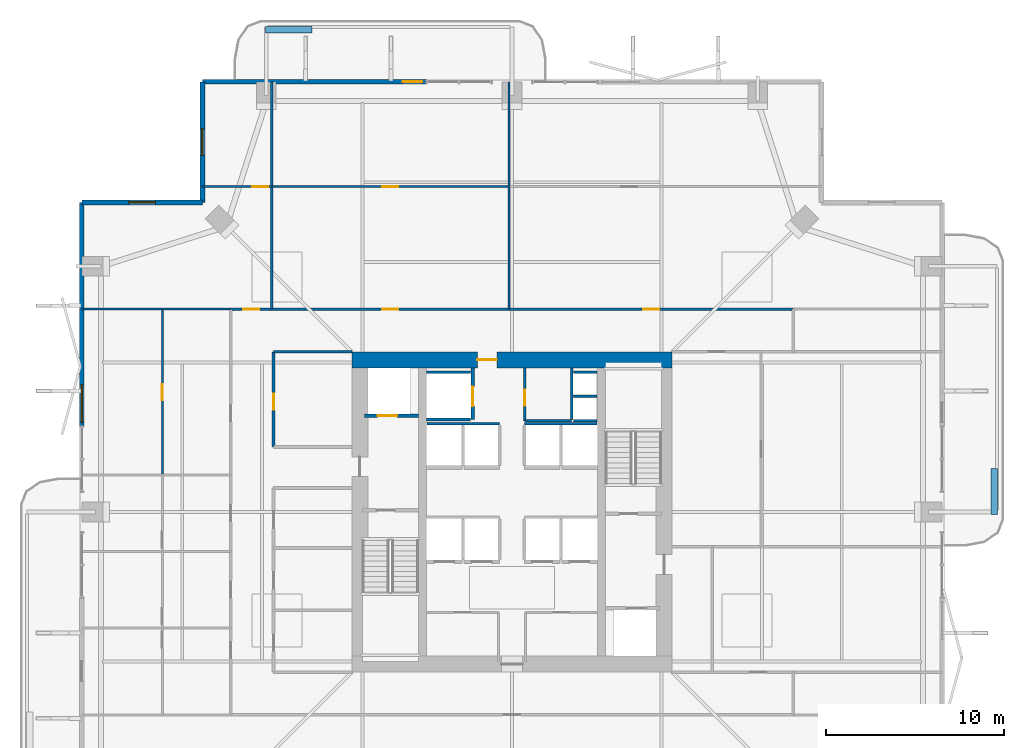
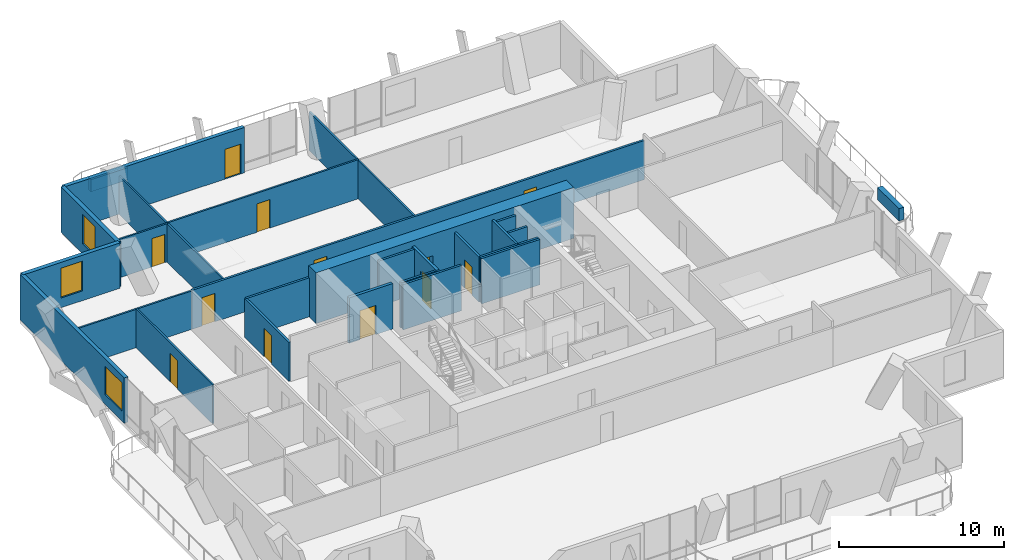
# One storey, part 20 of 24: 28 walls, 12 doors, 3 windows, 15 openings.
"""IFC4 building model written with IfcOpenShell, lengths in metres."""

from ifc_helpers import new_model, si_unit, direction, frame, frame_2d, origin, place, context, subcontext, project, spatial, rectangle, extrude, material, layer, layer_set, type_object, element, fill, save


model = new_model("IFC4")

# Units and contexts
model_context = context("Model", 3, precision=1e-05, world=origin(), true_north=direction((0.0, 1.0)))
body_context = subcontext(model_context, "Body", "Model", "MODEL_VIEW")
ifc_project = project(units=[si_unit("LENGTHUNIT", "METRE"), si_unit("AREAUNIT", "SQUARE_METRE"), si_unit("VOLUMEUNIT", "CUBIC_METRE"), si_unit("PLANEANGLEUNIT", "RADIAN"), si_unit("MASSUNIT", "GRAM", prefix="KILO")], contexts=[model_context])

# Site, building, storey
site_placement = place(None, origin())
site = spatial("IfcSite", under=ifc_project, at=site_placement, CompositionType="ELEMENT")
building_placement = place(site_placement, origin())
building = spatial("IfcBuilding", under=site, at=building_placement, Name="Belovzor Exchange Tower", CompositionType="ELEMENT")
storey_placement = place(building_placement, frame((0.0, 0.0, 190.800048828125)))
storey = spatial("IfcBuildingStorey", under=building, at=storey_placement, Name="L47", CompositionType="ELEMENT", Elevation=190.800048828125)

# Wall, opening, door
ifc_material_1 = material(Name="Acoustic Plasterboard on Galvanised Studs", Category="gypsum")
ifc_layer_1 = layer(ifc_material_1, 0.1201171875)
ifc_layer_set_1 = layer_set([ifc_layer_1], Name="Acoustic Plasterboard on Galvanised Studs")
wall_type_1 = type_object("IfcWallType", Name="Acoustic Double-Stud Partition Wall 120", PredefinedType="PARTITIONING", material=ifc_layer_set_1)
wall_1_placement = place(storey_placement, frame((11.39990234375, 47.0830078125, 0.0), z_axis=(0.0, 0.0, 1.0), x_axis=(1.0, 0.0, 0.0)))
wall_1 = element("IfcWall", 1, at=wall_1_placement, inside=storey, type_object=wall_type_1, Name="W-P120 Partition Wall W-L47-NHDIV-0", PredefinedType="PARTITIONING", context=body_context, shape_type="SweptSolid", body=[
    extrude(rectangle(XDim=3.900146484375, YDim=0.1201171875, at=frame_2d((1.9501953125, 0.0))), origin(), (0.0, 0.0, 1.0), 2.8349609375),
])
opening_1_placement = place(wall_1_placement, frame((2.800048828125, 0.0, 0.0)))
opening_1 = element("IfcOpeningElement", 2, at=opening_1_placement, cuts=wall_1, Name="Opening D-INT-090", PredefinedType="OPENING", context=body_context, shape_type="SweptSolid", body=[
    extrude(rectangle(XDim=0.89990234375, YDim=2.10009765625, at=frame_2d((0.449951171875, 1.050048828125))), frame((0.0, 0.070068359375, 0.0), z_axis=(0.0, -1.0, 0.0), x_axis=(1.0, 0.0, 0.0)), (0.0, 0.0, 1.0), 0.14013671875),
])
ifc_material_2 = material(Name="Veneered Hardwood Acoustic Leaf", Category="wood")
door_type_1 = type_object("IfcDoorType", Name="Trading Suite Acoustic Single Door 900x2100", OperationType="NOTDEFINED", PredefinedType="DOOR", material=ifc_material_2)
door_1_placement = place(opening_1_placement, origin())
door_1 = element("IfcDoor", 3, at=door_1_placement, inside=storey, type_object=door_type_1, Name="D-INT-090 Trading Suite Acoustic Single Door 900x2100", OperationType="SINGLE_SWING_RIGHT", OverallHeight=2.10009765625, OverallWidth=0.89990234375, PredefinedType="DOOR", context=body_context, shape_type="SweptSolid", body=[
    extrude(rectangle(XDim=0.89990234375, YDim=2.10009765625, at=frame_2d((0.449951171875, 1.050048828125))), frame((0.0, 0.02490234375, 0.0), z_axis=(0.0, -1.0, 0.0), x_axis=(1.0, 0.0, 0.0)), (0.0, 0.0, 1.0), 0.050048828125),
])
fill(opening_1, door_1)

# Wall
wall_2_placement = place(storey_placement, frame((15.300048828125, 40.199951171875, 0.0), z_axis=(0.0, 0.0, 1.0), x_axis=(0.0, 1.0, 0.0)))
element("IfcWall", 4, at=wall_2_placement, inside=storey, type_object=wall_type_1, Name="W-P120 Partition Wall W-L47-NDIV-1", PredefinedType="PARTITIONING", context=body_context, shape_type="SweptSolid", body=[
    extrude(rectangle(XDim=12.77001953125, YDim=0.1201171875, at=frame_2d((6.385009765625, 0.0))), origin(), (0.0, 0.0, 1.0), 2.8349609375),
])

# Wall, opening, door
wall_3_placement = place(storey_placement, frame((15.300048828125, 47.0830078125, 0.0), z_axis=(0.0, 0.0, 1.0), x_axis=(1.0, 0.0, 0.0)))
wall_3 = element("IfcWall", 5, at=wall_3_placement, inside=storey, type_object=wall_type_1, Name="W-P120 Partition Wall W-L47-NHDIV-1", PredefinedType="PARTITIONING", context=body_context, shape_type="SweptSolid", body=[
    extrude(rectangle(XDim=13.3310546875, YDim=0.1201171875, at=frame_2d((6.66552734375, 0.0))), origin(), (0.0, 0.0, 1.0), 2.885009765625),
])
opening_2_placement = place(wall_3_placement, frame((6.216064453125, 0.0, 0.0)))
opening_2 = element("IfcOpeningElement", 6, at=opening_2_placement, cuts=wall_3, Name="Opening D-INT-090", PredefinedType="OPENING", context=body_context, shape_type="SweptSolid", body=[
    extrude(rectangle(XDim=0.89990234375, YDim=2.10009765625, at=frame_2d((0.449951171875, 1.050048828125))), frame((0.0, 0.070068359375, 0.0), z_axis=(0.0, -1.0, 0.0), x_axis=(1.0, 0.0, 0.0)), (0.0, 0.0, 1.0), 0.14013671875),
])
door_2_placement = place(opening_2_placement, origin())
door_2 = element("IfcDoor", 7, at=door_2_placement, inside=storey, type_object=door_type_1, Name="D-INT-090 Trading Suite Acoustic Single Door 900x2100", OperationType="SINGLE_SWING_RIGHT", OverallHeight=2.10009765625, OverallWidth=0.89990234375, PredefinedType="DOOR", context=body_context, shape_type="SweptSolid", body=[
    extrude(rectangle(XDim=0.89990234375, YDim=2.10009765625, at=frame_2d((0.449951171875, 1.050048828125))), frame((0.0, 0.02490234375, 0.0), z_axis=(0.0, -1.0, 0.0), x_axis=(1.0, 0.0, 0.0)), (0.0, 0.0, 1.0), 0.050048828125),
])
fill(opening_2, door_2)

# Wall
wall_4_placement = place(storey_placement, frame((28.631103515625, 40.199951171875, 0.0), z_axis=(0.0, 0.0, 1.0), x_axis=(0.0, 1.0, 0.0)))
element("IfcWall", 8, at=wall_4_placement, inside=storey, type_object=wall_type_1, Name="W-P120 Partition Wall W-L47-NDIV-2", PredefinedType="PARTITIONING", context=body_context, shape_type="SweptSolid", body=[
    extrude(rectangle(XDim=12.77001953125, YDim=0.1201171875, at=frame_2d((6.385009765625, 0.0))), origin(), (0.0, 0.0, 1.0), 2.8349609375),
])

# Wall, opening, door
wall_5_placement = place(storey_placement, frame((9.14990234375, 30.876953125, 0.0), z_axis=(0.0, 0.0, 1.0), x_axis=(0.0, 1.0, 0.0)))
wall_5 = element("IfcWall", 9, at=wall_5_placement, inside=storey, type_object=wall_type_1, Name="W-P120 Partition Wall W-L47-WHDIV-3", PredefinedType="PARTITIONING", context=body_context, shape_type="SweptSolid", body=[
    extrude(rectangle(XDim=9.322998046875, YDim=0.1201171875, at=frame_2d((4.66162109375, 0.0))), origin(), (0.0, 0.0, 1.0), 2.885009765625),
])
opening_3_placement = place(wall_5_placement, frame((4.2119140625, 0.0, 0.0)))
opening_3 = element("IfcOpeningElement", 10, at=opening_3_placement, cuts=wall_5, Name="Opening D-INT-090", PredefinedType="OPENING", context=body_context, shape_type="SweptSolid", body=[
    extrude(rectangle(XDim=0.89990234375, YDim=2.10009765625, at=frame_2d((0.449951171875, 1.050048828125))), frame((0.0, 0.070068359375, 0.0), z_axis=(0.0, -1.0, 0.0), x_axis=(1.0, 0.0, 0.0)), (0.0, 0.0, 1.0), 0.14013671875),
])
door_3_placement = place(opening_3_placement, origin())
door_3 = element("IfcDoor", 11, at=door_3_placement, inside=storey, type_object=door_type_1, Name="D-INT-090 Trading Suite Acoustic Single Door 900x2100", OperationType="SINGLE_SWING_LEFT", OverallHeight=2.10009765625, OverallWidth=0.89990234375, PredefinedType="DOOR", context=body_context, shape_type="SweptSolid", body=[
    extrude(rectangle(XDim=0.89990234375, YDim=2.10009765625, at=frame_2d((0.449951171875, 1.050048828125))), frame((0.0, 0.02490234375, 0.0), z_axis=(0.0, -1.0, 0.0), x_axis=(1.0, 0.0, 0.0)), (0.0, 0.0, 1.0), 0.050048828125),
])
fill(opening_3, door_3)

# Wall
wall_6_placement = place(storey_placement, frame((4.6298828125, 40.199951171875, 0.0), z_axis=(0.0, 0.0, 1.0), x_axis=(1.0, 0.0, 0.0)))
element("IfcWall", 12, at=wall_6_placement, inside=storey, type_object=wall_type_1, Name="W-P120 Partition Wall W-L47-END-NW", PredefinedType="PARTITIONING", context=body_context, shape_type="SweptSolid", body=[
    extrude(rectangle(XDim=8.3701171875, YDim=0.1201171875, at=frame_2d((4.18505859375, 0.0))), origin(), (0.0, 0.0, 1.0), 2.8349609375),
])

# Wall, opening, door
ifc_material_3 = material(Name="Fire-Rated Gypsum Block and Mineral Wool", Category="gypsum")
ifc_layer_2 = layer(ifc_material_3, 0.14990234375)
ifc_layer_set_2 = layer_set([ifc_layer_2], Name="Fire-Rated Gypsum Block and Mineral Wool")
wall_type_2 = type_object("IfcWallType", Name="Fire-Rated Gypsum Block Corridor Wall 150", PredefinedType="PARTITIONING", material=ifc_layer_set_2)
wall_7_placement = place(storey_placement, frame((29.52490234375, 33.925048828125, 0.0), z_axis=(0.0, 0.0, 1.0), x_axis=(0.0, 1.0, 0.0)))
wall_7 = element("IfcWall", 13, at=wall_7_placement, inside=storey, type_object=wall_type_2, Name="W-P150 Partition Wall W-CRV-L47-W", PredefinedType="PARTITIONING", context=body_context, shape_type="SweptSolid", body=[
    extrude(rectangle(XDim=2.974853515625, YDim=0.14990234375, at=frame_2d((1.4873046875, 0.0))), origin(), (0.0, 0.0, 1.0), 3.349853515625),
])
opening_4_placement = place(wall_7_placement, frame((0.85009765625, 0.0, 0.0)))
opening_4 = element("IfcOpeningElement", 14, at=opening_4_placement, cuts=wall_7, Name="Opening D-FD60-090", PredefinedType="OPENING", context=body_context, shape_type="SweptSolid", body=[
    extrude(rectangle(XDim=0.89990234375, YDim=2.10009765625, at=frame_2d((0.449951171875, 1.050048828125))), frame((0.0, 0.0849609375, 0.0), z_axis=(0.0, -1.0, 0.0), x_axis=(1.0, 0.0, 0.0)), (0.0, 0.0, 1.0), 0.169921875),
])
ifc_material_4 = material(Name="Acoustic Timber Fire Leaf", Category="wood")
door_type_2 = type_object("IfcDoorType", Name="Core Service & Restroom Fire Door 900x2100", OperationType="NOTDEFINED", PredefinedType="DOOR", material=ifc_material_4)
door_4_placement = place(opening_4_placement, origin())
door_4 = element("IfcDoor", 15, at=door_4_placement, inside=storey, type_object=door_type_2, Name="D-FD60-090 Core Service & Restroom Fire Door 900x2100", OperationType="SINGLE_SWING_LEFT", OverallHeight=2.10009765625, OverallWidth=0.89990234375, PredefinedType="DOOR", context=body_context, shape_type="SweptSolid", body=[
    extrude(rectangle(XDim=0.89990234375, YDim=2.10009765625, at=frame_2d((0.449951171875, 1.050048828125))), frame((0.0, 0.02490234375, 0.0), z_axis=(0.0, -1.0, 0.0), x_axis=(1.0, 0.0, 0.0)), (0.0, 0.0, 1.0), 0.050048828125),
])
fill(opening_4, door_4)

# Walls
wall_8_placement = place(storey_placement, frame((29.52490234375, 33.925048828125, 0.0), z_axis=(0.0, 0.0, 1.0), x_axis=(1.0, 0.0, 0.0)))
element("IfcWall", 16, at=wall_8_placement, inside=storey, type_object=wall_type_2, Name="W-P150 Partition Wall W-CRV-L47-S", PredefinedType="PARTITIONING", context=body_context, shape_type="SweptSolid", body=[
    extrude(rectangle(XDim=2.625, YDim=0.14990234375, at=frame_2d((1.3125, 0.0))), origin(), (0.0, 0.0, 1.0), 3.349853515625),
])
wall_9_placement = place(storey_placement, frame((15.39990234375, 37.800048828125, 0.0), z_axis=(0.0, 0.0, 1.0), x_axis=(1.0, 0.0, 0.0)))
element("IfcWall", 17, at=wall_9_placement, inside=storey, type_object=wall_type_2, Name="W-P150 Partition Wall W-L47-INW-N", PredefinedType="PARTITIONING", context=body_context, shape_type="SweptSolid", body=[
    extrude(rectangle(XDim=4.400146484375, YDim=0.14990234375, at=frame_2d((2.2001953125, 0.0))), origin(), (0.0, 0.0, 1.0), 2.885009765625),
])

# Wall, opening, door
wall_10_placement = place(storey_placement, frame((15.39990234375, 32.449951171875, 0.0), z_axis=(0.0, 0.0, 1.0), x_axis=(0.0, 1.0, 0.0)))
wall_10 = element("IfcWall", 18, at=wall_10_placement, inside=storey, type_object=wall_type_2, Name="W-P150 Partition Wall W-L47-WIE-N", PredefinedType="PARTITIONING", context=body_context, shape_type="SweptSolid", body=[
    extrude(rectangle(XDim=5.35009765625, YDim=0.14990234375, at=frame_2d((2.675048828125, 0.0))), origin(), (0.0, 0.0, 1.0), 2.885009765625),
])
opening_5_placement = place(wall_10_placement, frame((2.10009765625, 0.0, 0.0)))
opening_5 = element("IfcOpeningElement", 19, at=opening_5_placement, cuts=wall_10, Name="Opening D-FD60-090", PredefinedType="OPENING", context=body_context, shape_type="SweptSolid", body=[
    extrude(rectangle(XDim=0.89990234375, YDim=2.10009765625, at=frame_2d((0.449951171875, 1.050048828125))), frame((0.0, 0.0849609375, 0.0), z_axis=(0.0, -1.0, 0.0), x_axis=(1.0, 0.0, 0.0)), (0.0, 0.0, 1.0), 0.169921875),
])
door_5_placement = place(opening_5_placement, origin())
door_5 = element("IfcDoor", 20, at=door_5_placement, inside=storey, type_object=door_type_2, Name="D-FD60-090 Core Service & Restroom Fire Door 900x2100", OperationType="SINGLE_SWING_LEFT", OverallHeight=2.10009765625, OverallWidth=0.89990234375, PredefinedType="DOOR", context=body_context, shape_type="SweptSolid", body=[
    extrude(rectangle(XDim=0.89990234375, YDim=2.10009765625, at=frame_2d((0.449951171875, 1.050048828125))), frame((0.0, 0.02490234375, 0.0), z_axis=(0.0, -1.0, 0.0), x_axis=(1.0, 0.0, 0.0)), (0.0, 0.0, 1.0), 0.050048828125),
])
fill(opening_5, door_5)

# Wall, openings, doors
wall_11_placement = place(storey_placement, frame((13.0, 40.199951171875, 0.0), z_axis=(0.0, 0.0, 1.0), x_axis=(1.0, 0.0, 0.0)))
wall_11 = element("IfcWall", 21, at=wall_11_placement, inside=storey, type_object=wall_type_2, Name="W-P150 Partition Wall W-L47-CN", PredefinedType="PARTITIONING", context=body_context, shape_type="SweptSolid", body=[
    extrude(rectangle(XDim=31.60009765625, YDim=0.14990234375, at=frame_2d((15.800048828125, 0.0))), origin(), (0.0, 0.0, 1.0), 2.885009765625),
])
opening_6_placement = place(wall_11_placement, frame((0.699951171875, 0.0, 0.0)))
opening_6 = element("IfcOpeningElement", 22, at=opening_6_placement, cuts=wall_11, Name="Opening D-INT-090", PredefinedType="OPENING", context=body_context, shape_type="SweptSolid", body=[
    extrude(rectangle(XDim=0.89990234375, YDim=2.10009765625, at=frame_2d((0.449951171875, 1.050048828125))), frame((0.0, 0.0849609375, 0.0), z_axis=(0.0, -1.0, 0.0), x_axis=(1.0, 0.0, 0.0)), (0.0, 0.0, 1.0), 0.169921875),
])
opening_7_placement = place(wall_11_placement, frame((8.514892578125, 0.0, 0.0)))
opening_7 = element("IfcOpeningElement", 23, at=opening_7_placement, cuts=wall_11, Name="Opening D-INT-090", PredefinedType="OPENING", context=body_context, shape_type="SweptSolid", body=[
    extrude(rectangle(XDim=0.89990234375, YDim=2.10009765625, at=frame_2d((0.449951171875, 1.050048828125))), frame((0.0, 0.0849609375, 0.0), z_axis=(0.0, -1.0, 0.0), x_axis=(1.0, 0.0, 0.0)), (0.0, 0.0, 1.0), 0.169921875),
])
opening_8_placement = place(wall_11_placement, frame((23.1650390625, 0.0, 0.0)))
opening_8 = element("IfcOpeningElement", 24, at=opening_8_placement, cuts=wall_11, Name="Opening D-INT-090", PredefinedType="OPENING", context=body_context, shape_type="SweptSolid", body=[
    extrude(rectangle(XDim=0.89990234375, YDim=2.10009765625, at=frame_2d((0.449951171875, 1.050048828125))), frame((0.0, 0.0849609375, 0.0), z_axis=(0.0, -1.0, 0.0), x_axis=(1.0, 0.0, 0.0)), (0.0, 0.0, 1.0), 0.169921875),
])
door_6_placement = place(opening_6_placement, origin())
door_6 = element("IfcDoor", 25, at=door_6_placement, inside=storey, type_object=door_type_1, Name="D-INT-090 Trading Suite Acoustic Single Door 900x2100", OperationType="SINGLE_SWING_RIGHT", OverallHeight=2.10009765625, OverallWidth=0.89990234375, PredefinedType="DOOR", context=body_context, shape_type="SweptSolid", body=[
    extrude(rectangle(XDim=0.89990234375, YDim=2.10009765625, at=frame_2d((0.449951171875, 1.050048828125))), frame((0.0, 0.02490234375, 0.0), z_axis=(0.0, -1.0, 0.0), x_axis=(1.0, 0.0, 0.0)), (0.0, 0.0, 1.0), 0.050048828125),
])
fill(opening_6, door_6)
door_7_placement = place(opening_7_placement, origin())
door_7 = element("IfcDoor", 26, at=door_7_placement, inside=storey, type_object=door_type_1, Name="D-INT-090 Trading Suite Acoustic Single Door 900x2100", OperationType="SINGLE_SWING_LEFT", OverallHeight=2.10009765625, OverallWidth=0.89990234375, PredefinedType="DOOR", context=body_context, shape_type="SweptSolid", body=[
    extrude(rectangle(XDim=0.89990234375, YDim=2.10009765625, at=frame_2d((0.449951171875, 1.050048828125))), frame((0.0, 0.02490234375, 0.0), z_axis=(0.0, -1.0, 0.0), x_axis=(1.0, 0.0, 0.0)), (0.0, 0.0, 1.0), 0.050048828125),
])
fill(opening_7, door_7)
door_8_placement = place(opening_8_placement, origin())
door_8 = element("IfcDoor", 27, at=door_8_placement, inside=storey, type_object=door_type_1, Name="D-INT-090 Trading Suite Acoustic Single Door 900x2100", OperationType="SINGLE_SWING_RIGHT", OverallHeight=2.10009765625, OverallWidth=0.89990234375, PredefinedType="DOOR", context=body_context, shape_type="SweptSolid", body=[
    extrude(rectangle(XDim=0.89990234375, YDim=2.10009765625, at=frame_2d((0.449951171875, 1.050048828125))), frame((0.0, 0.02490234375, 0.0), z_axis=(0.0, -1.0, 0.0), x_axis=(1.0, 0.0, 0.0)), (0.0, 0.0, 1.0), 0.050048828125),
])
fill(opening_8, door_8)

# Wall, opening, window
ifc_material_5 = material(Name="Precast concrete C40/50", Category="concrete")
ifc_layer_3 = layer(ifc_material_5, 0.280029296875)
ifc_layer_set_3 = layer_set([ifc_layer_3], Name="Precast concrete C40/50")
wall_type_3 = type_object("IfcWallType", Name="Precast Concrete Notched Corner Frame Wall 280", PredefinedType="SOLIDWALL", material=ifc_layer_set_3)
wall_12_placement = place(storey_placement, frame((4.6298828125, 46.199951171875, 0.0), z_axis=(0.0, 0.0, 1.0), x_axis=(1.0, 0.0, 0.0)))
wall_12 = element("IfcWall", 28, at=wall_12_placement, inside=storey, type_object=wall_type_3, Name="W-CRN280 Precast Concrete Notched Corner Frame Wall 280 L47", PredefinedType="SOLIDWALL", context=body_context, shape_type="SweptSolid", body=[
    extrude(rectangle(XDim=6.77001953125, YDim=0.280029296875, at=frame_2d((3.385009765625, 0.0))), origin(), (0.0, 0.0, 1.0), 3.349853515625),
])
opening_9_placement = place(wall_12_placement, frame((2.635009765625, 0.0, 0.719970703125)))
opening_9 = element("IfcOpeningElement", 29, at=opening_9_placement, cuts=wall_12, Name="Opening WN-CRN150", PredefinedType="OPENING", context=body_context, shape_type="SweptSolid", body=[
    extrude(rectangle(XDim=1.5, YDim=2.199951171875, at=frame_2d((0.75, 1.10009765625))), frame((0.0, 0.14990234375, 0.0), z_axis=(0.0, -1.0, 0.0), x_axis=(1.0, 0.0, 0.0)), (0.0, 0.0, 1.0), 0.300048828125),
])
ifc_material_6 = material(Name="Thermally Broken Aluminium and Triple Glazing", Category="aluminium")
window_type_1 = type_object("IfcWindowType", Name="Streamline Notched Corner Window 1500x2200", PartitioningType="SINGLE_PANEL", PredefinedType="WINDOW", material=ifc_material_6)
window_1_placement = place(opening_9_placement, origin())
window_1 = element("IfcWindow", 30, at=window_1_placement, inside=storey, type_object=window_type_1, Name="WN-CRN150 Streamline Notched Corner Window 1500x2200", OverallHeight=2.199951171875, OverallWidth=1.5, PartitioningType="SINGLE_PANEL", PredefinedType="WINDOW", context=body_context, shape_type="SweptSolid", body=[
    extrude(rectangle(XDim=1.5, YDim=2.199951171875, at=frame_2d((0.75, 1.10009765625))), frame((0.0, 0.030029296875, 0.0), z_axis=(0.0, -1.0, 0.0), x_axis=(1.0, 0.0, 0.0)), (0.0, 0.0, 1.0), 0.06005859375),
])
fill(opening_9, window_1)

wall_13_placement = place(storey_placement, frame((11.39990234375, 46.199951171875, 0.0), z_axis=(0.0, 0.0, 1.0), x_axis=(0.0, 1.0, 0.0)))
wall_13 = element("IfcWall", 31, at=wall_13_placement, inside=storey, type_object=wall_type_3, Name="W-CRN280 Precast Concrete Notched Corner Frame Wall 280 L47", PredefinedType="SOLIDWALL", context=body_context, shape_type="SweptSolid", body=[
    extrude(rectangle(XDim=6.77001953125, YDim=0.280029296875, at=frame_2d((3.385009765625, 0.0))), origin(), (0.0, 0.0, 1.0), 3.349853515625),
])
opening_10_placement = place(wall_13_placement, frame((2.635009765625, 0.0, 0.719970703125)))
opening_10 = element("IfcOpeningElement", 32, at=opening_10_placement, cuts=wall_13, Name="Opening WN-CRN150", PredefinedType="OPENING", context=body_context, shape_type="SweptSolid", body=[
    extrude(rectangle(XDim=1.5, YDim=2.199951171875, at=frame_2d((0.75, 1.10009765625))), frame((0.0, 0.14990234375, 0.0), z_axis=(0.0, -1.0, 0.0), x_axis=(1.0, 0.0, 0.0)), (0.0, 0.0, 1.0), 0.300048828125),
])
window_2_placement = place(opening_10_placement, origin())
window_2 = element("IfcWindow", 33, at=window_2_placement, inside=storey, type_object=window_type_1, Name="WN-CRN150 Streamline Notched Corner Window 1500x2200", OverallHeight=2.199951171875, OverallWidth=1.5, PartitioningType="SINGLE_PANEL", PredefinedType="WINDOW", context=body_context, shape_type="SweptSolid", body=[
    extrude(rectangle(XDim=1.5, YDim=2.199951171875, at=frame_2d((0.75, 1.10009765625))), frame((0.0, 0.030029296875, 0.0), z_axis=(0.0, -1.0, 0.0), x_axis=(1.0, 0.0, 0.0)), (0.0, 0.0, 1.0), 0.06005859375),
])
fill(opening_10, window_2)

# Wall, opening, door
ifc_material_7 = material(Name="Precast concrete C40/50", Category="concrete")
ifc_layer_4 = layer(ifc_material_7, 0.260009765625)
ifc_layer_set_4 = layer_set([ifc_layer_4], Name="Precast concrete C40/50")
wall_type_4 = type_object("IfcWallType", Name="Precast Concrete Perimeter Loggia Frame Wall 260", PredefinedType="SOLIDWALL", material=ifc_layer_set_4)
wall_14_placement = place(storey_placement, frame((11.39990234375, 52.969970703125, 0.0), z_axis=(0.0, 0.0, 1.0), x_axis=(1.0, 0.0, 0.0)))
wall_14 = element("IfcWall", 34, at=wall_14_placement, inside=storey, type_object=wall_type_4, Name="W-EXT260 Precast Concrete Perimeter Loggia Frame Wall 260 L47", PredefinedType="SOLIDWALL", context=body_context, shape_type="SweptSolid", body=[
    extrude(rectangle(XDim=12.60009765625, YDim=0.260009765625, at=frame_2d((6.300048828125, 0.0))), origin(), (0.0, 0.0, 1.0), 3.349853515625),
])
opening_11_placement = place(wall_14_placement, frame((11.25, 0.0, 0.0)))
opening_11 = element("IfcOpeningElement", 35, at=opening_11_placement, cuts=wall_14, Name="Opening D-BAL110", PredefinedType="OPENING", context=body_context, shape_type="SweptSolid", body=[
    extrude(rectangle(XDim=1.10009765625, YDim=2.199951171875, at=frame_2d((0.550048828125, 1.10009765625))), frame((0.0, 0.139892578125, 0.0), z_axis=(0.0, -1.0, 0.0), x_axis=(1.0, 0.0, 0.0)), (0.0, 0.0, 1.0), 0.280029296875),
])
ifc_material_8 = material(Name="Thermally Broken Anodised Aluminium and Laminated Glass", Category="aluminium")
door_type_3 = type_object("IfcDoorType", Name="Planted Loggia Terrace Glazed Door 1100x2200", OperationType="SINGLE_SWING_LEFT", PredefinedType="DOOR", material=ifc_material_8)
door_9_placement = place(opening_11_placement, origin())
door_9 = element("IfcDoor", 36, at=door_9_placement, inside=storey, type_object=door_type_3, Name="D-BAL110 Balcony Terrace Door L47 N", OperationType="SINGLE_SWING_RIGHT", OverallHeight=2.199951171875, OverallWidth=1.10009765625, PredefinedType="DOOR", context=body_context, shape_type="SweptSolid", body=[
    extrude(rectangle(XDim=1.10009765625, YDim=2.199951171875, at=frame_2d((0.550048828125, 1.10009765625))), frame((0.0, 0.02490234375, 0.0), z_axis=(0.0, -1.0, 0.0), x_axis=(1.0, 0.0, 0.0)), (0.0, 0.0, 1.0), 0.050048828125),
])
fill(opening_11, door_9)

# Wall, opening, window
wall_15_placement = place(storey_placement, frame((4.6298828125, 33.60009765625, 0.0), z_axis=(0.0, 0.0, 1.0), x_axis=(0.0, 1.0, 0.0)))
wall_15 = element("IfcWall", 37, at=wall_15_placement, inside=storey, type_object=wall_type_4, Name="W-EXT260 Precast Concrete Perimeter Loggia Frame Wall 260 L47", PredefinedType="SOLIDWALL", context=body_context, shape_type="SweptSolid", body=[
    extrude(rectangle(XDim=12.599853515625, YDim=0.260009765625, at=frame_2d((6.2998046875, 0.0))), origin(), (0.0, 0.0, 1.0), 3.349853515625),
])
opening_12_placement = place(wall_15_placement, frame((0.25, 0.0, 0.719970703125)))
opening_12 = element("IfcOpeningElement", 38, at=opening_12_placement, cuts=wall_15, Name="Opening WN-LOG210", PredefinedType="OPENING", context=body_context, shape_type="SweptSolid", body=[
    extrude(rectangle(XDim=2.10009765625, YDim=2.10009765625, at=frame_2d((1.050048828125, 1.050048828125))), frame((0.0, 0.139892578125, 0.0), z_axis=(0.0, -1.0, 0.0), x_axis=(1.0, 0.0, 0.0)), (0.0, 0.0, 1.0), 0.280029296875),
])
ifc_material_9 = material(Name="Thermally Broken Aluminium and Triple Glazing", Category="aluminium")
window_type_2 = type_object("IfcWindowType", Name="Triple-Glazed Loggia Ribbon Window 2100x2100", PartitioningType="SINGLE_PANEL", PredefinedType="WINDOW", material=ifc_material_9)
window_3_placement = place(opening_12_placement, origin())
window_3 = element("IfcWindow", 39, at=window_3_placement, inside=storey, type_object=window_type_2, Name="WN-LOG210 Triple-Glazed Loggia Ribbon Window 2100x2100", OverallHeight=2.10009765625, OverallWidth=2.10009765625, PartitioningType="SINGLE_PANEL", PredefinedType="WINDOW", context=body_context, shape_type="SweptSolid", body=[
    extrude(rectangle(XDim=2.10009765625, YDim=2.10009765625, at=frame_2d((1.050048828125, 1.050048828125))), frame((0.0, 0.030029296875, 0.0), z_axis=(0.0, -1.0, 0.0), x_axis=(1.0, 0.0, 0.0)), (0.0, 0.0, 1.0), 0.06005859375),
])
fill(opening_12, window_3)

# Walls
ifc_material_10 = material(Name="Precast concrete C40/50", Category="concrete")
ifc_layer_5 = layer(ifc_material_10, 0.35009765625)
ifc_layer_set_5 = layer_set([ifc_layer_5], Name="Precast concrete C40/50")
wall_type_5 = type_object("IfcWallType", Name="Precast Concrete Structural Tree Planter Trough 350", PredefinedType="PARAPET", material=ifc_layer_set_5)
for number, where, z_axis, x_axis, name in (
    (40, (14.949951171875, 55.89990234375, 0.0), (0.0, 0.0, 1.0), (1.0, 0.0, 0.0), "PT-350 Precast Concrete Structural Tree Planter Trough 350 L47"),
    (41, (55.89990234375, 28.64990234375, 0.0), (0.0, 0.0, 1.0), (0.0, 1.0, 0.0), "PT-350 Precast Concrete Structural Tree Planter Trough 350 L47"),
):
    element("IfcWall", number, at=place(storey_placement, frame(where, z_axis=z_axis, x_axis=x_axis)), inside=storey, type_object=wall_type_5, Name=name, PredefinedType="PARAPET", context=body_context, shape_type="SweptSolid", body=[
        extrude(rectangle(XDim=2.60009765625, YDim=0.35009765625, at=frame_2d((1.300048828125, 0.0))), origin(), (0.0, 0.0, 1.0), 0.89990234375),
    ])
ifc_material_11 = material(Name="Concrete C50/60", Category="concrete")
ifc_layer_6 = layer(ifc_material_11, 0.14990234375)
ifc_layer_set_6 = layer_set([ifc_layer_6], Name="Concrete C50/60")
wall_type_6 = type_object("IfcWallType", Name="Reinforced Concrete Core Riser Shear Wall 150", PredefinedType="SHEAR", material=ifc_layer_set_6)
wall_16_placement = place(storey_placement, frame((32.14990234375, 34.0, 0.0), z_axis=(0.0, 0.0, 1.0), x_axis=(0.0, 1.0, 0.0)))
element("IfcWall", 42, at=wall_16_placement, inside=storey, type_object=wall_type_6, Name="W-C150S Core Shaft Wall W-RSR-L47-E", PredefinedType="SHEAR", context=body_context, shape_type="SweptSolid", body=[
    extrude(rectangle(XDim=2.89990234375, YDim=0.14990234375, at=frame_2d((1.449951171875, 0.0))), origin(), (0.0, 0.0, 1.0), 3.349853515625),
])
for number, where, z_axis, x_axis, name in (
    (43, (32.25, 33.925048828125, 0.0), (0.0, 0.0, 1.0), (1.0, 0.0, 0.0), "W-C150S Core Shaft Wall W-RSR-L47-S"),
    (44, (32.25, 35.300048828125, 0.0), (0.0, 0.0, 1.0), (1.0, 0.0, 0.0), "W-C150S Core Shaft Wall W-RSR-L47-M"),
):
    element("IfcWall", number, at=place(storey_placement, frame(where, z_axis=z_axis, x_axis=x_axis)), inside=storey, type_object=wall_type_6, Name=name, PredefinedType="SHEAR", context=body_context, shape_type="SweptSolid", body=[
        extrude(rectangle(XDim=1.330078125, YDim=0.14990234375, at=frame_2d((0.6650390625, 0.0))), origin(), (0.0, 0.0, 1.0), 3.349853515625),
    ])
for number, where, z_axis, x_axis, name in (
    (45, (24.0, 34.0, 0.0), (0.0, 0.0, 1.0), (1.0, 0.0, 0.0), "W-C150S Core Shaft Wall W-SH-L47-SL-01S"),
    (46, (24.0, 36.64990234375, 0.0), (0.0, 0.0, 1.0), (1.0, 0.0, 0.0), "W-C150S Core Shaft Wall W-SH-L47-SL-01N"),
):
    element("IfcWall", number, at=place(storey_placement, frame(where, z_axis=z_axis, x_axis=x_axis)), inside=storey, type_object=wall_type_6, Name=name, PredefinedType="SHEAR", context=body_context, shape_type="SweptSolid", body=[
        extrude(rectangle(XDim=2.47998046875, YDim=0.14990234375, at=frame_2d((1.239990234375, 0.0))), origin(), (0.0, 0.0, 1.0), 3.349853515625),
    ])
wall_17_placement = place(storey_placement, frame((32.25, 36.64990234375, 0.0), z_axis=(0.0, 0.0, 1.0), x_axis=(1.0, 0.0, 0.0)))
element("IfcWall", 47, at=wall_17_placement, inside=storey, type_object=wall_type_6, Name="W-C150S Core Shaft Wall W-RSR-L47-N", PredefinedType="SHEAR", context=body_context, shape_type="SweptSolid", body=[
    extrude(rectangle(XDim=1.330078125, YDim=0.14990234375, at=frame_2d((0.6650390625, 0.0))), origin(), (0.0, 0.0, 1.0), 3.349853515625),
])
for number, where, z_axis, x_axis, name in (
    (48, (24.02001953125, 33.760009765625, 0.0), (0.0, 0.0, 1.0), (1.0, 0.0, 0.0), "W-C150S Core Shaft Wall W-SHB-L47-PLH-NW"),
    (49, (29.5, 33.760009765625, 0.0), (0.0, 0.0, 1.0), (1.0, 0.0, 0.0), "W-C150S Core Shaft Wall W-SHB-L47-PLH-NE"),
):
    element("IfcWall", number, at=place(storey_placement, frame(where, z_axis=z_axis, x_axis=x_axis)), inside=storey, type_object=wall_type_6, Name=name, PredefinedType="SHEAR", context=body_context, shape_type="SweptSolid", body=[
        extrude(rectangle(XDim=4.080078125, YDim=0.14990234375, at=frame_2d((2.0400390625, 0.0))), origin(), (0.0, 0.0, 1.0), 3.349853515625),
    ])

# Wall, opening, door
ifc_material_12 = material(Name="Concrete C50/60", Category="concrete")
ifc_layer_7 = layer(ifc_material_12, 0.199951171875)
ifc_layer_set_7 = layer_set([ifc_layer_7], Name="Concrete C50/60")
wall_type_7 = type_object("IfcWallType", Name="Reinforced Concrete Core Shaft Shear Wall 200", PredefinedType="SHEAR", material=ifc_layer_set_7)
wall_18_placement = place(storey_placement, frame((20.5, 34.199951171875, 0.0), z_axis=(0.0, 0.0, 1.0), x_axis=(1.0, 0.0, 0.0)))
wall_18 = element("IfcWall", 50, at=wall_18_placement, inside=storey, type_object=wall_type_7, Name="W-C200S Core Shaft Wall W-SH-L47-FFL-01", PredefinedType="SHEAR", context=body_context, shape_type="SweptSolid", body=[
    extrude(rectangle(XDim=3.050048828125, YDim=0.199951171875, at=frame_2d((1.52490234375, 0.0))), origin(), (0.0, 0.0, 1.0), 3.349853515625),
])
opening_13_placement = place(wall_18_placement, frame((0.75, 0.0, 0.0)))
opening_13 = element("IfcOpeningElement", 51, at=opening_13_placement, cuts=wall_18, Name="Opening LD-110", PredefinedType="OPENING", context=body_context, shape_type="SweptSolid", body=[
    extrude(rectangle(XDim=1.10009765625, YDim=2.14990234375, at=frame_2d((0.550048828125, 1.074951171875))), frame((0.0, 0.10986328125, 0.0), z_axis=(0.0, -1.0, 0.0), x_axis=(1.0, 0.0, 0.0)), (0.0, 0.0, 1.0), 0.219970703125),
])
ifc_material_13 = material(Name="Stainless Steel Grade 304", Category="steel")
door_type_4 = type_object("IfcDoorType", Name="Automated Stainless Steel Lift Landing Door 1100x2150", OperationType="SLIDING_TO_RIGHT", PredefinedType="DOOR", material=ifc_material_13)
door_10_placement = place(opening_13_placement, origin())
door_10 = element("IfcDoor", 52, at=door_10_placement, inside=storey, type_object=door_type_4, Name="LD-110 Automated Stainless Steel Lift Landing Door 1100x2150", OperationType="SLIDING_TO_RIGHT", OverallHeight=2.14990234375, OverallWidth=1.10009765625, PredefinedType="DOOR", context=body_context, shape_type="SweptSolid", body=[
    extrude(rectangle(XDim=1.10009765625, YDim=2.14990234375, at=frame_2d((0.550048828125, 1.074951171875))), frame((0.0, 0.02490234375, 0.0), z_axis=(0.0, -1.0, 0.0), x_axis=(1.0, 0.0, 0.0)), (0.0, 0.0, 1.0), 0.050048828125),
])
fill(opening_13, door_10)

wall_19_placement = place(storey_placement, frame((26.60009765625, 34.0, 0.0), z_axis=(0.0, 0.0, 1.0), x_axis=(0.0, 1.0, 0.0)))
wall_19 = element("IfcWall", 53, at=wall_19_placement, inside=storey, type_object=wall_type_7, Name="W-C200S Core Shaft Wall W-SH-L47-SL-01", PredefinedType="SHEAR", context=body_context, shape_type="SweptSolid", body=[
    extrude(rectangle(XDim=2.89990234375, YDim=0.199951171875, at=frame_2d((1.449951171875, 0.0))), origin(), (0.0, 0.0, 1.0), 3.349853515625),
])
opening_14_placement = place(wall_19_placement, frame((0.75, 0.0, 0.0)))
opening_14 = element("IfcOpeningElement", 54, at=opening_14_placement, cuts=wall_19, Name="Opening LD-110", PredefinedType="OPENING", context=body_context, shape_type="SweptSolid", body=[
    extrude(rectangle(XDim=1.10009765625, YDim=2.14990234375, at=frame_2d((0.550048828125, 1.074951171875))), frame((0.0, 0.10986328125, 0.0), z_axis=(0.0, -1.0, 0.0), x_axis=(1.0, 0.0, 0.0)), (0.0, 0.0, 1.0), 0.219970703125),
])
door_11_placement = place(opening_14_placement, origin())
door_11 = element("IfcDoor", 55, at=door_11_placement, inside=storey, type_object=door_type_4, Name="LD-110 Automated Stainless Steel Lift Landing Door 1100x2150", OperationType="SLIDING_TO_RIGHT", OverallHeight=2.14990234375, OverallWidth=1.10009765625, PredefinedType="DOOR", context=body_context, shape_type="SweptSolid", body=[
    extrude(rectangle(XDim=1.10009765625, YDim=2.14990234375, at=frame_2d((0.550048828125, 1.074951171875))), frame((0.0, 0.02490234375, 0.0), z_axis=(0.0, -1.0, 0.0), x_axis=(1.0, 0.0, 0.0)), (0.0, 0.0, 1.0), 0.050048828125),
])
fill(opening_14, door_11)

ifc_material_14 = material(Name="Concrete C60/75", Category="concrete")
ifc_layer_8 = layer(ifc_material_14, 0.89990234375)
ifc_layer_set_8 = layer_set([ifc_layer_8], Name="Concrete C60/75")
wall_type_8 = type_object("IfcWallType", Name="Reinforced Concrete Core Shear Wall 900", PredefinedType="SHEAR", material=ifc_layer_set_8)
wall_20_placement = place(storey_placement, frame((19.800048828125, 37.35009765625, 0.0), z_axis=(0.0, 0.0, 1.0), x_axis=(1.0, 0.0, 0.0)))
wall_20 = element("IfcWall", 56, at=wall_20_placement, inside=storey, type_object=wall_type_8, Name="CW-S090 Core Shear Wall L47 N", PredefinedType="SHEAR", context=body_context, shape_type="SweptSolid", body=[
    extrude(rectangle(XDim=18.0, YDim=0.89990234375, at=frame_2d((9.0, 0.0))), origin(), (0.0, 0.0, 1.0), 3.75),
])
opening_15_placement = place(wall_20_placement, frame((7.050048828125, 0.0, 0.0)))
opening_15 = element("IfcOpeningElement", 57, at=opening_15_placement, cuts=wall_20, Name="Opening D-FD90-110", PredefinedType="OPENING", context=body_context, shape_type="SweptSolid", body=[
    extrude(rectangle(XDim=1.10009765625, YDim=2.14990234375, at=frame_2d((0.550048828125, 1.074951171875))), frame((0.0, 0.4599609375, 0.0), z_axis=(0.0, -1.0, 0.0), x_axis=(1.0, 0.0, 0.0)), (0.0, 0.0, 1.0), 0.919921875),
])
ifc_material_15 = material(Name="Fire-Rated Galvanised Steel Leaf", Category="steel")
door_type_5 = type_object("IfcDoorType", Name="Protected Escape Vestibule Fire Door 1100x2150", OperationType="NOTDEFINED", PredefinedType="DOOR", material=ifc_material_15)
door_12_placement = place(opening_15_placement, origin())
door_12 = element("IfcDoor", 58, at=door_12_placement, inside=storey, type_object=door_type_5, Name="D-FD90-110 Protected Escape Vestibule Fire Door 1100x2150", OperationType="SINGLE_SWING_RIGHT", OverallHeight=2.14990234375, OverallWidth=1.10009765625, PredefinedType="DOOR", context=body_context, shape_type="SweptSolid", body=[
    extrude(rectangle(XDim=1.10009765625, YDim=2.14990234375, at=frame_2d((0.550048828125, 1.074951171875))), frame((0.0, 0.02490234375, 0.0), z_axis=(0.0, -1.0, 0.0), x_axis=(1.0, 0.0, 0.0)), (0.0, 0.0, 1.0), 0.050048828125),
])
fill(opening_15, door_12)

save(model, "model.ifc")
